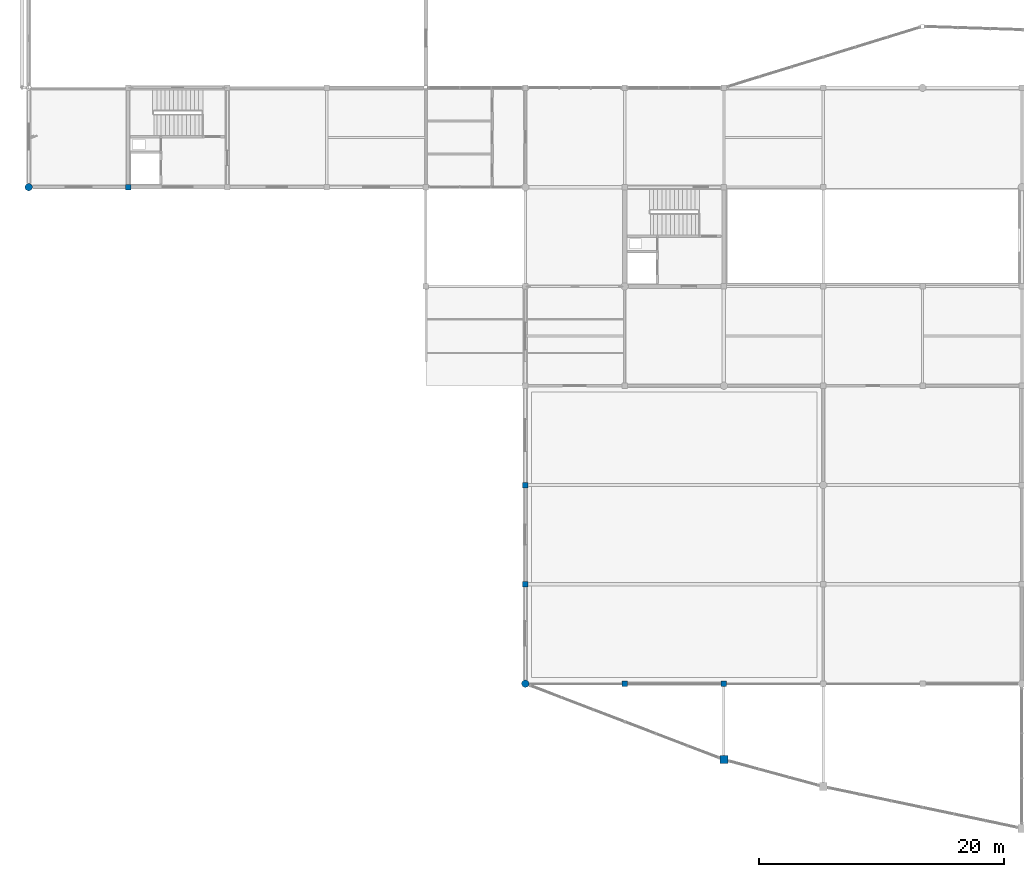
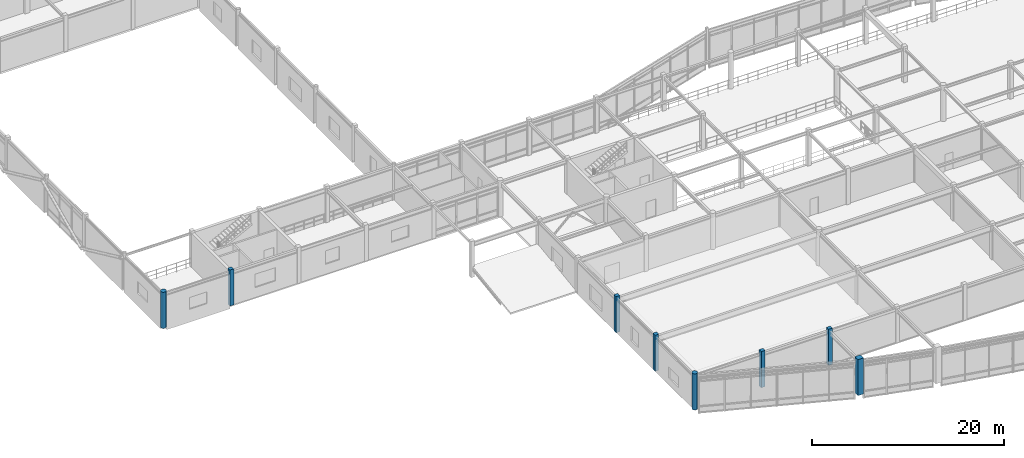
# One storey, part 1 of 93: 8 columns.
"""IFC4 building model written with IfcOpenShell, lengths in metres."""

from ifc_helpers import new_model, si_unit, direction, frame, origin, origin_2d, place, context, subcontext, project, spatial, rectangle, circle, extrude, material, material_profile, profile_set, type_object, element, save


model = new_model("IFC4")

# Units and contexts
model_context = context("Model", 3, precision=1e-05, world=origin(), true_north=direction((0.0, 1.0)))
body_context = subcontext(model_context, "Body", "Model", "MODEL_VIEW")
ifc_project = project(units=[si_unit("LENGTHUNIT", "METRE"), si_unit("AREAUNIT", "SQUARE_METRE"), si_unit("VOLUMEUNIT", "CUBIC_METRE"), si_unit("PLANEANGLEUNIT", "RADIAN"), si_unit("MASSUNIT", "GRAM", prefix="KILO")], contexts=[model_context])

# Site, building, storey
site_placement = place(None, origin())
site = spatial("IfcSite", under=ifc_project, at=site_placement, CompositionType="ELEMENT")
building_placement = place(site_placement, origin())
building = spatial("IfcBuilding", under=site, at=building_placement, Name="Vaudrelin Polytechnic", CompositionType="ELEMENT")
storey_placement = place(building_placement, frame((0.0, 0.0, 5.10009765625)))
storey = spatial("IfcBuildingStorey", under=building, at=storey_placement, Name="L01", CompositionType="ELEMENT", Elevation=5.10009765625)

# Columns
ifc_material = material(Name="Concrete 40 MPa", Category="concrete")
ifc_material_profile_1 = material_profile(ifc_material, rectangle(XDim=0.449951171875, YDim=0.449951171875, at=origin_2d()), Name="RC450x450")
ifc_profile_set_1 = profile_set([ifc_material_profile_1], Name="Concrete 40 MPa")
column_type_1 = type_object("IfcColumnType", Name="COL-C-RC450", PredefinedType="COLUMN", material=ifc_profile_set_1)
for number, where, z_axis, x_axis, name in (
    (1, (8.10009765625, 40.5, 0.0), (0.0, 0.0, 1.0), (1.0, 0.0, 0.0), "Column L01 2-6"),
    (2, (40.5, 8.10009765625, 0.0), (0.0, 0.0, 1.0), (1.0, 0.0, 0.0), "Column L01 6-2"),
    (3, (40.5, 16.199951171875, 0.0), (0.0, 0.0, 1.0), (1.0, 0.0, 0.0), "Column L01 6-3"),
    (4, (48.60009765625, 0.0, 0.0), (0.0, 0.0, 1.0), (1.0, 0.0, 0.0), "Column L01 7-1"),
    (5, (56.699951171875, 0.0, 0.0), (0.0, 0.0, 1.0), (1.0, 0.0, 0.0), "Column L01 8-1"),
):
    element("IfcColumn", number, at=place(storey_placement, frame(where, z_axis=z_axis, x_axis=x_axis)), inside=storey, type_object=column_type_1, Name=name, PredefinedType="COLUMN", context=body_context, shape_type="SweptSolid", body=[
        extrude(rectangle(XDim=0.449951171875, YDim=0.449951171875, at=origin_2d()), origin(), (0.0, 0.0, 1.0), 4.58984375),
    ])
ifc_material_profile_2 = material_profile(ifc_material, rectangle(XDim=0.64990234375, YDim=0.64990234375, at=origin_2d()), Name="RC650x650")
ifc_profile_set_2 = profile_set([ifc_material_profile_2], Name="Concrete 40 MPa")
column_type_2 = type_object("IfcColumnType", Name="COL-C-RC650", PredefinedType="COLUMN", material=ifc_profile_set_2)
column_placement = place(storey_placement, frame((56.699951171875, -6.199951171875, 0.0), z_axis=(0.0, 0.0, 1.0), x_axis=(1.0, 0.0, 0.0)))
element("IfcColumn", 6, at=column_placement, inside=storey, type_object=column_type_2, Name="Deconstructivist column L01 V2P_7", PredefinedType="COLUMN", context=body_context, shape_type="SweptSolid", body=[
    extrude(rectangle(XDim=0.64990234375, YDim=0.64990234375, at=origin_2d()), origin(), (0.0, 0.0, 1.0), 4.58984375),
])
ifc_material_profile_3 = material_profile(ifc_material, circle(Radius=0.300048828125, at=origin_2d()), Name="RCCOL600")
ifc_profile_set_3 = profile_set([ifc_material_profile_3], Name="Concrete 40 MPa")
column_type_3 = type_object("IfcColumnType", Name="COL-C-RCD600", PredefinedType="COLUMN", material=ifc_profile_set_3)
for number, where, z_axis, x_axis, name in (
    (7, (0.0, 40.5, 0.0), (0.0, 0.0, 1.0), (1.0, 0.0, 0.0), "Column L01 1-6"),
    (8, (40.5, 0.0, 0.0), (0.0, 0.0, 1.0), (1.0, 0.0, 0.0), "Column L01 6-1"),
):
    element("IfcColumn", number, at=place(storey_placement, frame(where, z_axis=z_axis, x_axis=x_axis)), inside=storey, type_object=column_type_3, Name=name, PredefinedType="COLUMN", context=body_context, shape_type="SweptSolid", body=[
        extrude(circle(Radius=0.300048828125, at=origin_2d()), origin(), (0.0, 0.0, 1.0), 4.58984375),
    ])

save(model, "model.ifc")
